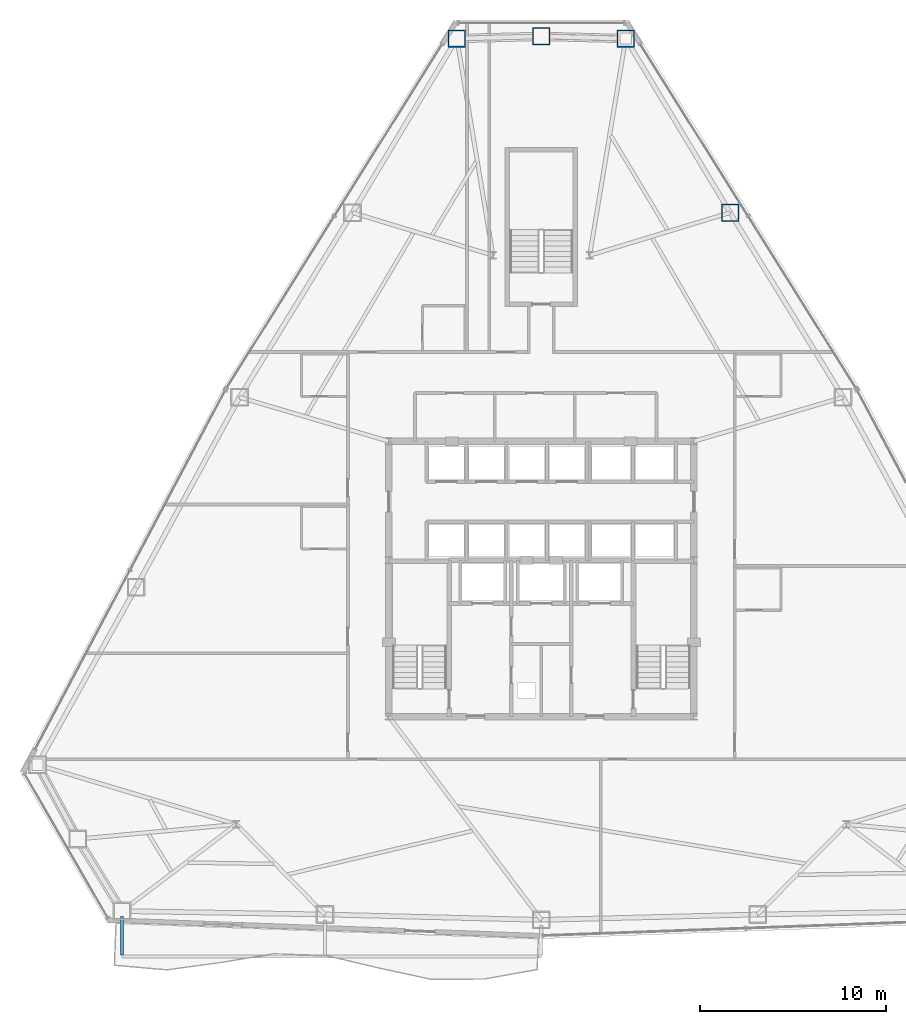
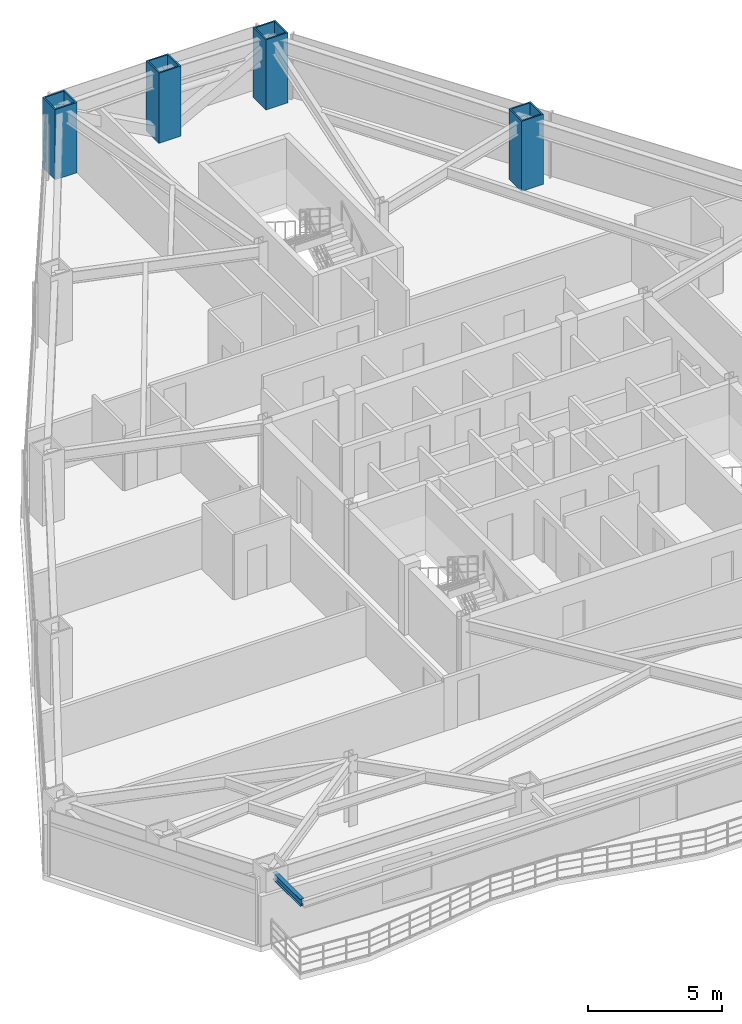
# One storey, part 3 of 13: 4 columns, 1 beam.
"""IFC4 building model written with IfcOpenShell, lengths in metres."""

from ifc_helpers import new_model, si_unit, direction, frame, origin, origin_2d, place, context, subcontext, project, spatial, hollow_rectangle, i_section, extrude, material, material_profile, profile_set, type_object, element, save


model = new_model("IFC4")

# Units and contexts
model_context = context("Model", 3, precision=1e-05, world=origin(), true_north=direction((0.0, 1.0)))
body_context = subcontext(model_context, "Body", "Model", "MODEL_VIEW")
ifc_project = project(units=[si_unit("LENGTHUNIT", "METRE"), si_unit("AREAUNIT", "SQUARE_METRE"), si_unit("VOLUMEUNIT", "CUBIC_METRE"), si_unit("PLANEANGLEUNIT", "RADIAN"), si_unit("MASSUNIT", "GRAM", prefix="KILO")], contexts=[model_context])

# Site, building, storey
site_placement = place(None, origin())
site = spatial("IfcSite", under=ifc_project, at=site_placement, CompositionType="ELEMENT")
building_placement = place(site_placement, origin())
building = spatial("IfcBuilding", under=site, at=building_placement, Name="Varakhsha Concourse Tower", CompositionType="ELEMENT")
storey_placement = place(building_placement, frame((0.0, 0.0, 95.800048828125)))
storey = spatial("IfcBuildingStorey", under=building, at=storey_placement, Name="L27", CompositionType="ELEMENT", Elevation=95.800048828125)

# Columns
ifc_material_1 = material(Name="Structural Steel ASTM A572 Grade 50", Category="steel")
ifc_material_profile_1 = material_profile(ifc_material_1, hollow_rectangle(XDim=0.949951171875, YDim=0.949951171875, WallThickness=0.06494140625, at=origin_2d()), Name="BOX 950x950x65")
ifc_profile_set_1 = profile_set([ifc_material_profile_1], Name="Structural Steel ASTM A572 Grade 50")
column_type = type_object("IfcColumnType", Name="CL-TUBE-950", PredefinedType="COLUMN", material=ifc_profile_set_1)
for number, where, z_axis, x_axis, name in (
    (1, (44.54150390625, 52.85986328125, 0.0), (0.0, 0.0, 1.0), (1.0, 0.0, 0.0), "L27 Framed-Tube Column TC01"),
    (2, (40.0, 52.9794921875, 0.0), (0.0, 0.0, 1.0), (1.0, 0.0, 0.0), "L27 Framed-Tube Column TC02"),
    (3, (35.45849609375, 52.85986328125, 0.0), (0.0, 0.0, 1.0), (1.0, 0.0, 0.0), "L27 Framed-Tube Column TC03"),
    (4, (50.156494140625, 43.499755859375, 0.0), (0.0, 0.0, 1.0), (1.0, 0.0, 0.0), "L27 Framed-Tube Column TC18"),
):
    element("IfcColumn", number, at=place(storey_placement, frame(where, z_axis=z_axis, x_axis=x_axis)), inside=storey, type_object=column_type, Name=name, PredefinedType="COLUMN", context=body_context, shape_type="SweptSolid", body=[
        extrude(hollow_rectangle(XDim=0.949951171875, YDim=0.949951171875, WallThickness=0.06494140625, at=origin_2d()), origin(), (0.0, 0.0, 1.0), 3.199951171875),
    ])

# Beam
ifc_material_2 = material(Name="Structural Steel ASTM A992 Grade 50", Category="steel")
ifc_material_profile_2 = material_profile(ifc_material_2, i_section(OverallWidth=0.1669921875, OverallDepth=0.31689453125, WebThickness=0.008056640625, FlangeThickness=0.012939453125, at=origin_2d()), Name="W12X35")
ifc_profile_set_2 = profile_set([ifc_material_profile_2], Name="Structural Steel ASTM A992 Grade 50")
beam_type = type_object("IfcBeamType", Name="BM-EDGE-W12X35", PredefinedType="BEAM", material=ifc_profile_set_2)
beam_placement = place(storey_placement, frame((17.45068359375, 5.641845703125, 2.801513671875), z_axis=(0.0, -1.0, 0.0), x_axis=(1.0, 0.0, 0.0)))
element("IfcBeam", 5, at=beam_placement, inside=storey, type_object=beam_type, Name="L28 Sky-Loggia Support Bracket 1", PredefinedType="BEAM", context=body_context, shape_type="SweptSolid", body=[
    extrude(i_section(OverallWidth=0.1669921875, OverallDepth=0.31689453125, WebThickness=0.008056640625, FlangeThickness=0.012939453125, at=origin_2d()), origin(), (0.0, 0.0, 1.0), 2.058349609375),
])

save(model, "model.ifc")
